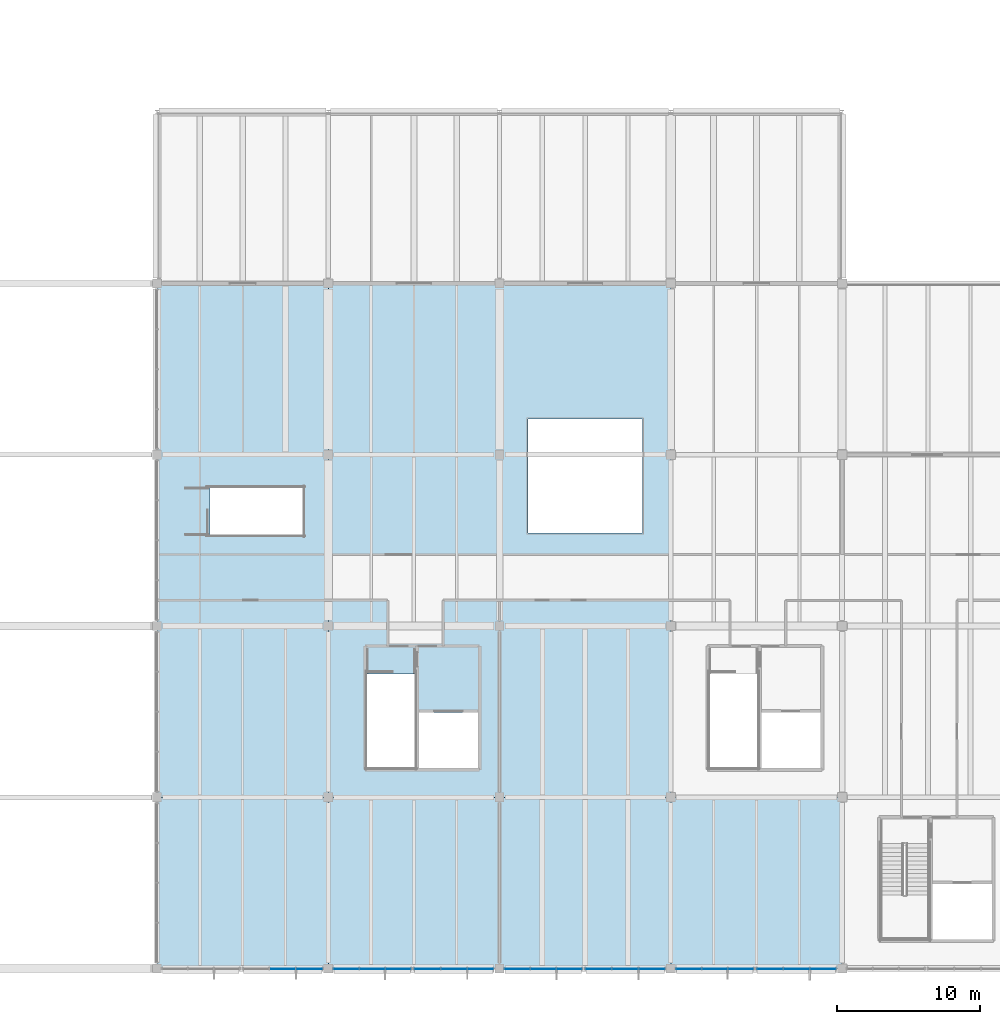
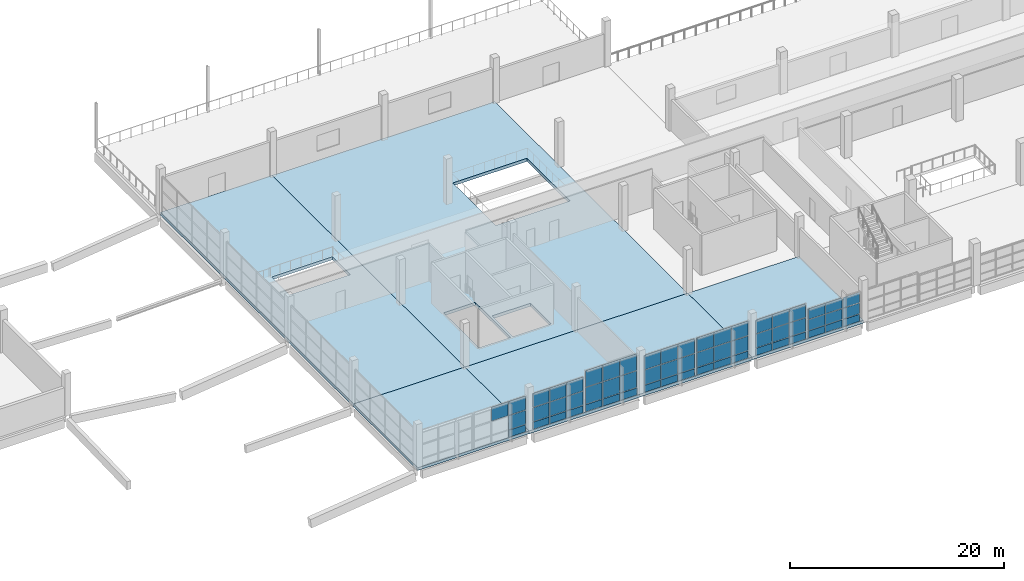
# One storey, part 59 of 112: 58 plates, 5 slabs, 7 elements without a shape of their own.
"""IFC4 building model written with IfcOpenShell, lengths in metres."""

from ifc_helpers import new_model, si_unit, direction, frame, origin, origin_2d, place, context, subcontext, project, spatial, polyline, rectangle, outline, extrude, material, layer, layer_set, type_object, element, aggregate, save


model = new_model("IFC4")

# Units and contexts
model_context = context("Model", 3, precision=1e-05, world=origin(), true_north=direction((0.0, 1.0)))
body_context = subcontext(model_context, "Body", "Model", "MODEL_VIEW")
ifc_project = project(units=[si_unit("LENGTHUNIT", "METRE"), si_unit("AREAUNIT", "SQUARE_METRE"), si_unit("VOLUMEUNIT", "CUBIC_METRE"), si_unit("PLANEANGLEUNIT", "RADIAN"), si_unit("MASSUNIT", "GRAM", prefix="KILO")], contexts=[model_context])

# Site, building, storey
site_placement = place(None, origin())
site = spatial("IfcSite", under=ifc_project, at=site_placement, CompositionType="ELEMENT")
building_placement = place(site_placement, origin())
building = spatial("IfcBuilding", under=site, at=building_placement, Name="Kamomehara Wholesale Market", CompositionType="ELEMENT")
storey_placement = place(building_placement, frame((0.0, 0.0, 6.60009765625)))
storey = spatial("IfcBuildingStorey", under=building, at=storey_placement, Name="L01", CompositionType="ELEMENT", Elevation=6.60009765625)

# Curtain wall, plates
ifc_material_1 = material(Name="Anodised aluminium 6063-T5", Category="aluminium")
curtain_wall_type = type_object("IfcCurtainWallType", Name="CW-UN-01", PredefinedType="NOTDEFINED", material=ifc_material_1)
curtain_wall_1_placement = place(storey_placement, origin())
curtain_wall_1 = element("IfcCurtainWall", 1, at=curtain_wall_1_placement, inside=storey, type_object=curtain_wall_type, Name="Unitised curtain wall CW-121", PredefinedType="NOTDEFINED")
ifc_material_2 = material(Name="Solar-control Low-E double glazing", Category="glass")
ifc_layer_1 = layer(ifc_material_2, 0.028076171875)
ifc_layer_set_1 = layer_set([ifc_layer_1], Name="Solar-control Low-E double glazing")
plate_type_1 = type_object("IfcPlateType", Name="CW-PNL-GLZ", PredefinedType="CURTAIN_PANEL", material=ifc_layer_set_1)
plate_1_placement = place(storey_placement, frame((70.6669921875, 11.97998046875, 0.929931640625), z_axis=(0.0, 0.0, 1.0), x_axis=(-1.0, 0.0, 0.0)))
plate_1 = element("IfcPlate", 2, at=plate_1_placement, type_object=plate_type_1, Name="Curtain panel CW-121.0.1", PredefinedType="CURTAIN_PANEL", context=body_context, shape_type="SweptSolid", body=[
    extrude(rectangle(XDim=1.787109375, YDim=0.028076171875, at=origin_2d()), origin(), (0.0, 0.0, 1.0), 1.580078125),
])
plate_2_placement = place(storey_placement, frame((70.6669921875, 11.97998046875, 2.56982421875), z_axis=(0.0, 0.0, 1.0), x_axis=(-1.0, 0.0, 0.0)))
plate_2 = element("IfcPlate", 3, at=plate_2_placement, type_object=plate_type_1, Name="Curtain panel CW-121.0.2", PredefinedType="CURTAIN_PANEL", context=body_context, shape_type="SweptSolid", body=[
    extrude(rectangle(XDim=1.787109375, YDim=0.028076171875, at=origin_2d()), origin(), (0.0, 0.0, 1.0), 1.5400390625),
])
plate_3_placement = place(storey_placement, frame((68.800048828125, 11.97998046875, 2.56982421875), z_axis=(0.0, 0.0, 1.0), x_axis=(-1.0, 0.0, 0.0)))
plate_3 = element("IfcPlate", 4, at=plate_3_placement, type_object=plate_type_1, Name="Curtain panel CW-121.1.2", PredefinedType="CURTAIN_PANEL", context=body_context, shape_type="SweptSolid", body=[
    extrude(rectangle(XDim=1.787109375, YDim=0.028076171875, at=origin_2d()), origin(), (0.0, 0.0, 1.0), 1.5400390625),
])

curtain_wall_2_placement = place(storey_placement, origin())
curtain_wall_2 = element("IfcCurtainWall", 5, at=curtain_wall_2_placement, inside=storey, type_object=curtain_wall_type, Name="Unitised curtain wall CW-123", PredefinedType="NOTDEFINED")
plate_4_placement = place(storey_placement, frame((82.6669921875, 11.97998046875, 0.93017578125), z_axis=(0.0, 0.0, 1.0), x_axis=(-1.0, 0.0, 0.0)))
plate_4 = element("IfcPlate", 6, at=plate_4_placement, type_object=plate_type_1, Name="Curtain panel CW-123.0.1", PredefinedType="CURTAIN_PANEL", context=body_context, shape_type="SweptSolid", body=[
    extrude(rectangle(XDim=1.787109375, YDim=0.028076171875, at=origin_2d()), origin(), (0.0, 0.0, 1.0), 1.885009765625),
])
plate_5_placement = place(storey_placement, frame((82.6669921875, 11.97998046875, 2.87548828125), z_axis=(0.0, 0.0, 1.0), x_axis=(-1.0, 0.0, 0.0)))
plate_5 = element("IfcPlate", 7, at=plate_5_placement, type_object=plate_type_1, Name="Curtain panel CW-123.0.2", PredefinedType="CURTAIN_PANEL", context=body_context, shape_type="SweptSolid", body=[
    extrude(rectangle(XDim=1.787109375, YDim=0.028076171875, at=origin_2d()), origin(), (0.0, 0.0, 1.0), 1.844970703125),
])
plate_6_placement = place(storey_placement, frame((80.800048828125, 11.97998046875, 0.93017578125), z_axis=(0.0, 0.0, 1.0), x_axis=(-1.0, 0.0, 0.0)))
plate_6 = element("IfcPlate", 8, at=plate_6_placement, type_object=plate_type_1, Name="Curtain panel CW-123.1.1", PredefinedType="CURTAIN_PANEL", context=body_context, shape_type="SweptSolid", body=[
    extrude(rectangle(XDim=1.787109375, YDim=0.028076171875, at=origin_2d()), origin(), (0.0, 0.0, 1.0), 1.885009765625),
])
plate_7_placement = place(storey_placement, frame((80.800048828125, 11.97998046875, 2.87548828125), z_axis=(0.0, 0.0, 1.0), x_axis=(-1.0, 0.0, 0.0)))
plate_7 = element("IfcPlate", 9, at=plate_7_placement, type_object=plate_type_1, Name="Curtain panel CW-123.1.2", PredefinedType="CURTAIN_PANEL", context=body_context, shape_type="SweptSolid", body=[
    extrude(rectangle(XDim=1.787109375, YDim=0.028076171875, at=origin_2d()), origin(), (0.0, 0.0, 1.0), 1.844970703125),
])
plate_8_placement = place(storey_placement, frame((78.93310546875, 11.97998046875, 0.93017578125), z_axis=(0.0, 0.0, 1.0), x_axis=(-1.0, 0.0, 0.0)))
plate_8 = element("IfcPlate", 10, at=plate_8_placement, type_object=plate_type_1, Name="Curtain panel CW-123.2.1", PredefinedType="CURTAIN_PANEL", context=body_context, shape_type="SweptSolid", body=[
    extrude(rectangle(XDim=1.787109375, YDim=0.028076171875, at=origin_2d()), origin(), (0.0, 0.0, 1.0), 1.885009765625),
])
plate_9_placement = place(storey_placement, frame((78.93310546875, 11.97998046875, 2.87548828125), z_axis=(0.0, 0.0, 1.0), x_axis=(-1.0, 0.0, 0.0)))
plate_9 = element("IfcPlate", 11, at=plate_9_placement, type_object=plate_type_1, Name="Curtain panel CW-123.2.2", PredefinedType="CURTAIN_PANEL", context=body_context, shape_type="SweptSolid", body=[
    extrude(rectangle(XDim=1.787109375, YDim=0.028076171875, at=origin_2d()), origin(), (0.0, 0.0, 1.0), 1.844970703125),
])

curtain_wall_3_placement = place(storey_placement, origin())
curtain_wall_3 = element("IfcCurtainWall", 12, at=curtain_wall_3_placement, inside=storey, type_object=curtain_wall_type, Name="Unitised curtain wall CW-124", PredefinedType="NOTDEFINED")
plate_10_placement = place(storey_placement, frame((76.888916015625, 11.97998046875, 0.929931640625), z_axis=(0.0, 0.0, 1.0), x_axis=(-1.0, 0.0, 0.0)))
plate_10 = element("IfcPlate", 13, at=plate_10_placement, type_object=plate_type_1, Name="Curtain panel CW-124.0.1", PredefinedType="CURTAIN_PANEL", context=body_context, shape_type="SweptSolid", body=[
    extrude(rectangle(XDim=1.741943359375, YDim=0.028076171875, at=origin_2d()), origin(), (0.0, 0.0, 1.0), 1.580078125),
])
plate_11_placement = place(storey_placement, frame((76.888916015625, 11.97998046875, 2.56982421875), z_axis=(0.0, 0.0, 1.0), x_axis=(-1.0, 0.0, 0.0)))
plate_11 = element("IfcPlate", 14, at=plate_11_placement, type_object=plate_type_1, Name="Curtain panel CW-124.0.2", PredefinedType="CURTAIN_PANEL", context=body_context, shape_type="SweptSolid", body=[
    extrude(rectangle(XDim=1.741943359375, YDim=0.028076171875, at=origin_2d()), origin(), (0.0, 0.0, 1.0), 1.5400390625),
])
plate_12_placement = place(storey_placement, frame((75.06689453125, 11.97998046875, 0.929931640625), z_axis=(0.0, 0.0, 1.0), x_axis=(-1.0, 0.0, 0.0)))
plate_12 = element("IfcPlate", 15, at=plate_12_placement, type_object=plate_type_1, Name="Curtain panel CW-124.1.1", PredefinedType="CURTAIN_PANEL", context=body_context, shape_type="SweptSolid", body=[
    extrude(rectangle(XDim=1.741943359375, YDim=0.028076171875, at=origin_2d()), origin(), (0.0, 0.0, 1.0), 1.580078125),
])
plate_13_placement = place(storey_placement, frame((75.06689453125, 11.97998046875, 2.56982421875), z_axis=(0.0, 0.0, 1.0), x_axis=(-1.0, 0.0, 0.0)))
plate_13 = element("IfcPlate", 16, at=plate_13_placement, type_object=plate_type_1, Name="Curtain panel CW-124.1.2", PredefinedType="CURTAIN_PANEL", context=body_context, shape_type="SweptSolid", body=[
    extrude(rectangle(XDim=1.741943359375, YDim=0.028076171875, at=origin_2d()), origin(), (0.0, 0.0, 1.0), 1.5400390625),
])
plate_14_placement = place(storey_placement, frame((73.24609375, 11.97998046875, 0.929931640625), z_axis=(0.0, 0.0, 1.0), x_axis=(-1.0, 0.0, 0.0)))
plate_14 = element("IfcPlate", 17, at=plate_14_placement, type_object=plate_type_1, Name="Curtain panel CW-124.2.1", PredefinedType="CURTAIN_PANEL", context=body_context, shape_type="SweptSolid", body=[
    extrude(rectangle(XDim=1.741943359375, YDim=0.028076171875, at=origin_2d()), origin(), (0.0, 0.0, 1.0), 1.580078125),
])
plate_15_placement = place(storey_placement, frame((73.24609375, 11.97998046875, 2.56982421875), z_axis=(0.0, 0.0, 1.0), x_axis=(-1.0, 0.0, 0.0)))
plate_15 = element("IfcPlate", 18, at=plate_15_placement, type_object=plate_type_1, Name="Curtain panel CW-124.2.2", PredefinedType="CURTAIN_PANEL", context=body_context, shape_type="SweptSolid", body=[
    extrude(rectangle(XDim=1.741943359375, YDim=0.028076171875, at=origin_2d()), origin(), (0.0, 0.0, 1.0), 1.5400390625),
])

curtain_wall_4_placement = place(storey_placement, origin())
curtain_wall_4 = element("IfcCurtainWall", 19, at=curtain_wall_4_placement, inside=storey, type_object=curtain_wall_type, Name="Unitised curtain wall CW-125", PredefinedType="NOTDEFINED")
plate_16_placement = place(storey_placement, frame((94.6669921875, 11.97998046875, 0.92919921875), z_axis=(0.0, 0.0, 1.0), x_axis=(-1.0, 0.0, 0.0)))
plate_16 = element("IfcPlate", 20, at=plate_16_placement, type_object=plate_type_1, Name="Curtain panel CW-125.0.1", PredefinedType="CURTAIN_PANEL", context=body_context, shape_type="SweptSolid", body=[
    extrude(rectangle(XDim=1.787109375, YDim=0.028076171875, at=origin_2d()), origin(), (0.0, 0.0, 1.0), 1.655029296875),
])
plate_17_placement = place(storey_placement, frame((94.6669921875, 11.97998046875, 2.6455078125), z_axis=(0.0, 0.0, 1.0), x_axis=(-1.0, 0.0, 0.0)))
plate_17 = element("IfcPlate", 21, at=plate_17_placement, type_object=plate_type_1, Name="Curtain panel CW-125.0.2", PredefinedType="CURTAIN_PANEL", context=body_context, shape_type="SweptSolid", body=[
    extrude(rectangle(XDim=1.787109375, YDim=0.028076171875, at=origin_2d()), origin(), (0.0, 0.0, 1.0), 1.614990234375),
])
plate_18_placement = place(storey_placement, frame((92.800048828125, 11.97998046875, 0.92919921875), z_axis=(0.0, 0.0, 1.0), x_axis=(-1.0, 0.0, 0.0)))
plate_18 = element("IfcPlate", 22, at=plate_18_placement, type_object=plate_type_1, Name="Curtain panel CW-125.1.1", PredefinedType="CURTAIN_PANEL", context=body_context, shape_type="SweptSolid", body=[
    extrude(rectangle(XDim=1.787109375, YDim=0.028076171875, at=origin_2d()), origin(), (0.0, 0.0, 1.0), 1.655029296875),
])
plate_19_placement = place(storey_placement, frame((92.800048828125, 11.97998046875, 2.6455078125), z_axis=(0.0, 0.0, 1.0), x_axis=(-1.0, 0.0, 0.0)))
plate_19 = element("IfcPlate", 23, at=plate_19_placement, type_object=plate_type_1, Name="Curtain panel CW-125.1.2", PredefinedType="CURTAIN_PANEL", context=body_context, shape_type="SweptSolid", body=[
    extrude(rectangle(XDim=1.787109375, YDim=0.028076171875, at=origin_2d()), origin(), (0.0, 0.0, 1.0), 1.614990234375),
])
plate_20_placement = place(storey_placement, frame((90.93310546875, 11.97998046875, 0.92919921875), z_axis=(0.0, 0.0, 1.0), x_axis=(-1.0, 0.0, 0.0)))
plate_20 = element("IfcPlate", 24, at=plate_20_placement, type_object=plate_type_1, Name="Curtain panel CW-125.2.1", PredefinedType="CURTAIN_PANEL", context=body_context, shape_type="SweptSolid", body=[
    extrude(rectangle(XDim=1.787109375, YDim=0.028076171875, at=origin_2d()), origin(), (0.0, 0.0, 1.0), 1.655029296875),
])
plate_21_placement = place(storey_placement, frame((90.93310546875, 11.97998046875, 2.6455078125), z_axis=(0.0, 0.0, 1.0), x_axis=(-1.0, 0.0, 0.0)))
plate_21 = element("IfcPlate", 25, at=plate_21_placement, type_object=plate_type_1, Name="Curtain panel CW-125.2.2", PredefinedType="CURTAIN_PANEL", context=body_context, shape_type="SweptSolid", body=[
    extrude(rectangle(XDim=1.787109375, YDim=0.028076171875, at=origin_2d()), origin(), (0.0, 0.0, 1.0), 1.614990234375),
])

curtain_wall_5_placement = place(storey_placement, origin())
curtain_wall_5 = element("IfcCurtainWall", 26, at=curtain_wall_5_placement, inside=storey, type_object=curtain_wall_type, Name="Unitised curtain wall CW-126", PredefinedType="NOTDEFINED")
plate_22_placement = place(storey_placement, frame((88.888916015625, 11.97998046875, 0.92919921875), z_axis=(0.0, 0.0, 1.0), x_axis=(-1.0, 0.0, 0.0)))
plate_22 = element("IfcPlate", 27, at=plate_22_placement, type_object=plate_type_1, Name="Curtain panel CW-126.0.1", PredefinedType="CURTAIN_PANEL", context=body_context, shape_type="SweptSolid", body=[
    extrude(rectangle(XDim=1.741943359375, YDim=0.028076171875, at=origin_2d()), origin(), (0.0, 0.0, 1.0), 1.655029296875),
])
plate_23_placement = place(storey_placement, frame((88.888916015625, 11.97998046875, 2.6455078125), z_axis=(0.0, 0.0, 1.0), x_axis=(-1.0, 0.0, 0.0)))
plate_23 = element("IfcPlate", 28, at=plate_23_placement, type_object=plate_type_1, Name="Curtain panel CW-126.0.2", PredefinedType="CURTAIN_PANEL", context=body_context, shape_type="SweptSolid", body=[
    extrude(rectangle(XDim=1.741943359375, YDim=0.028076171875, at=origin_2d()), origin(), (0.0, 0.0, 1.0), 1.614990234375),
])
plate_24_placement = place(storey_placement, frame((87.06689453125, 11.97998046875, 0.92919921875), z_axis=(0.0, 0.0, 1.0), x_axis=(-1.0, 0.0, 0.0)))
plate_24 = element("IfcPlate", 29, at=plate_24_placement, type_object=plate_type_1, Name="Curtain panel CW-126.1.1", PredefinedType="CURTAIN_PANEL", context=body_context, shape_type="SweptSolid", body=[
    extrude(rectangle(XDim=1.741943359375, YDim=0.028076171875, at=origin_2d()), origin(), (0.0, 0.0, 1.0), 1.655029296875),
])
plate_25_placement = place(storey_placement, frame((87.06689453125, 11.97998046875, 2.6455078125), z_axis=(0.0, 0.0, 1.0), x_axis=(-1.0, 0.0, 0.0)))
plate_25 = element("IfcPlate", 30, at=plate_25_placement, type_object=plate_type_1, Name="Curtain panel CW-126.1.2", PredefinedType="CURTAIN_PANEL", context=body_context, shape_type="SweptSolid", body=[
    extrude(rectangle(XDim=1.741943359375, YDim=0.028076171875, at=origin_2d()), origin(), (0.0, 0.0, 1.0), 1.614990234375),
])
plate_26_placement = place(storey_placement, frame((85.24609375, 11.97998046875, 0.92919921875), z_axis=(0.0, 0.0, 1.0), x_axis=(-1.0, 0.0, 0.0)))
plate_26 = element("IfcPlate", 31, at=plate_26_placement, type_object=plate_type_1, Name="Curtain panel CW-126.2.1", PredefinedType="CURTAIN_PANEL", context=body_context, shape_type="SweptSolid", body=[
    extrude(rectangle(XDim=1.741943359375, YDim=0.028076171875, at=origin_2d()), origin(), (0.0, 0.0, 1.0), 1.655029296875),
])
plate_27_placement = place(storey_placement, frame((85.24609375, 11.97998046875, 2.6455078125), z_axis=(0.0, 0.0, 1.0), x_axis=(-1.0, 0.0, 0.0)))
plate_27 = element("IfcPlate", 32, at=plate_27_placement, type_object=plate_type_1, Name="Curtain panel CW-126.2.2", PredefinedType="CURTAIN_PANEL", context=body_context, shape_type="SweptSolid", body=[
    extrude(rectangle(XDim=1.741943359375, YDim=0.028076171875, at=origin_2d()), origin(), (0.0, 0.0, 1.0), 1.614990234375),
])

curtain_wall_6_placement = place(storey_placement, origin())
curtain_wall_6 = element("IfcCurtainWall", 33, at=curtain_wall_6_placement, inside=storey, type_object=curtain_wall_type, Name="Unitised curtain wall CW-127", PredefinedType="NOTDEFINED")
plate_28_placement = place(storey_placement, frame((106.6669921875, 11.97998046875, 0.929931640625), z_axis=(0.0, 0.0, 1.0), x_axis=(-1.0, 0.0, 0.0)))
plate_28 = element("IfcPlate", 34, at=plate_28_placement, type_object=plate_type_1, Name="Curtain panel CW-127.0.1", PredefinedType="CURTAIN_PANEL", context=body_context, shape_type="SweptSolid", body=[
    extrude(rectangle(XDim=1.787109375, YDim=0.028076171875, at=origin_2d()), origin(), (0.0, 0.0, 1.0), 1.2041015625),
])
plate_29_placement = place(storey_placement, frame((106.6669921875, 11.97998046875, 2.19384765625), z_axis=(0.0, 0.0, 1.0), x_axis=(-1.0, 0.0, 0.0)))
plate_29 = element("IfcPlate", 35, at=plate_29_placement, type_object=plate_type_1, Name="Curtain panel CW-127.0.2", PredefinedType="CURTAIN_PANEL", context=body_context, shape_type="SweptSolid", body=[
    extrude(rectangle(XDim=1.787109375, YDim=0.028076171875, at=origin_2d()), origin(), (0.0, 0.0, 1.0), 1.1640625),
])
plate_30_placement = place(storey_placement, frame((104.800048828125, 11.97998046875, 0.929931640625), z_axis=(0.0, 0.0, 1.0), x_axis=(-1.0, 0.0, 0.0)))
plate_30 = element("IfcPlate", 36, at=plate_30_placement, type_object=plate_type_1, Name="Curtain panel CW-127.1.1", PredefinedType="CURTAIN_PANEL", context=body_context, shape_type="SweptSolid", body=[
    extrude(rectangle(XDim=1.787109375, YDim=0.028076171875, at=origin_2d()), origin(), (0.0, 0.0, 1.0), 1.2041015625),
])
plate_31_placement = place(storey_placement, frame((104.800048828125, 11.97998046875, 2.19384765625), z_axis=(0.0, 0.0, 1.0), x_axis=(-1.0, 0.0, 0.0)))
plate_31 = element("IfcPlate", 37, at=plate_31_placement, type_object=plate_type_1, Name="Curtain panel CW-127.1.2", PredefinedType="CURTAIN_PANEL", context=body_context, shape_type="SweptSolid", body=[
    extrude(rectangle(XDim=1.787109375, YDim=0.028076171875, at=origin_2d()), origin(), (0.0, 0.0, 1.0), 1.1640625),
])
plate_32_placement = place(storey_placement, frame((102.93310546875, 11.97998046875, 0.929931640625), z_axis=(0.0, 0.0, 1.0), x_axis=(-1.0, 0.0, 0.0)))
plate_32 = element("IfcPlate", 38, at=plate_32_placement, type_object=plate_type_1, Name="Curtain panel CW-127.2.1", PredefinedType="CURTAIN_PANEL", context=body_context, shape_type="SweptSolid", body=[
    extrude(rectangle(XDim=1.787109375, YDim=0.028076171875, at=origin_2d()), origin(), (0.0, 0.0, 1.0), 1.2041015625),
])
plate_33_placement = place(storey_placement, frame((102.93310546875, 11.97998046875, 2.19384765625), z_axis=(0.0, 0.0, 1.0), x_axis=(-1.0, 0.0, 0.0)))
plate_33 = element("IfcPlate", 39, at=plate_33_placement, type_object=plate_type_1, Name="Curtain panel CW-127.2.2", PredefinedType="CURTAIN_PANEL", context=body_context, shape_type="SweptSolid", body=[
    extrude(rectangle(XDim=1.787109375, YDim=0.028076171875, at=origin_2d()), origin(), (0.0, 0.0, 1.0), 1.1640625),
])

curtain_wall_7_placement = place(storey_placement, origin())
curtain_wall_7 = element("IfcCurtainWall", 40, at=curtain_wall_7_placement, inside=storey, type_object=curtain_wall_type, Name="Unitised curtain wall CW-128", PredefinedType="NOTDEFINED")
plate_34_placement = place(storey_placement, frame((100.888916015625, 11.97998046875, 0.9306640625), z_axis=(0.0, 0.0, 1.0), x_axis=(-1.0, 0.0, 0.0)))
plate_34 = element("IfcPlate", 41, at=plate_34_placement, type_object=plate_type_1, Name="Curtain panel CW-128.0.1", PredefinedType="CURTAIN_PANEL", context=body_context, shape_type="SweptSolid", body=[
    extrude(rectangle(XDim=1.741943359375, YDim=0.028076171875, at=origin_2d()), origin(), (0.0, 0.0, 1.0), 1.554931640625),
])
plate_35_placement = place(storey_placement, frame((100.888916015625, 11.97998046875, 2.54443359375), z_axis=(0.0, 0.0, 1.0), x_axis=(-1.0, 0.0, 0.0)))
plate_35 = element("IfcPlate", 42, at=plate_35_placement, type_object=plate_type_1, Name="Curtain panel CW-128.0.2", PredefinedType="CURTAIN_PANEL", context=body_context, shape_type="SweptSolid", body=[
    extrude(rectangle(XDim=1.741943359375, YDim=0.028076171875, at=origin_2d()), origin(), (0.0, 0.0, 1.0), 1.514892578125),
])
plate_36_placement = place(storey_placement, frame((99.06689453125, 11.97998046875, 0.9306640625), z_axis=(0.0, 0.0, 1.0), x_axis=(-1.0, 0.0, 0.0)))
plate_36 = element("IfcPlate", 43, at=plate_36_placement, type_object=plate_type_1, Name="Curtain panel CW-128.1.1", PredefinedType="CURTAIN_PANEL", context=body_context, shape_type="SweptSolid", body=[
    extrude(rectangle(XDim=1.741943359375, YDim=0.028076171875, at=origin_2d()), origin(), (0.0, 0.0, 1.0), 1.554931640625),
])
plate_37_placement = place(storey_placement, frame((99.06689453125, 11.97998046875, 2.54443359375), z_axis=(0.0, 0.0, 1.0), x_axis=(-1.0, 0.0, 0.0)))
plate_37 = element("IfcPlate", 44, at=plate_37_placement, type_object=plate_type_1, Name="Curtain panel CW-128.1.2", PredefinedType="CURTAIN_PANEL", context=body_context, shape_type="SweptSolid", body=[
    extrude(rectangle(XDim=1.741943359375, YDim=0.028076171875, at=origin_2d()), origin(), (0.0, 0.0, 1.0), 1.514892578125),
])
plate_38_placement = place(storey_placement, frame((97.24609375, 11.97998046875, 0.9306640625), z_axis=(0.0, 0.0, 1.0), x_axis=(-1.0, 0.0, 0.0)))
plate_38 = element("IfcPlate", 45, at=plate_38_placement, type_object=plate_type_1, Name="Curtain panel CW-128.2.1", PredefinedType="CURTAIN_PANEL", context=body_context, shape_type="SweptSolid", body=[
    extrude(rectangle(XDim=1.741943359375, YDim=0.028076171875, at=origin_2d()), origin(), (0.0, 0.0, 1.0), 1.554931640625),
])
plate_39_placement = place(storey_placement, frame((97.24609375, 11.97998046875, 2.54443359375), z_axis=(0.0, 0.0, 1.0), x_axis=(-1.0, 0.0, 0.0)))
plate_39 = element("IfcPlate", 46, at=plate_39_placement, type_object=plate_type_1, Name="Curtain panel CW-128.2.2", PredefinedType="CURTAIN_PANEL", context=body_context, shape_type="SweptSolid", body=[
    extrude(rectangle(XDim=1.741943359375, YDim=0.028076171875, at=origin_2d()), origin(), (0.0, 0.0, 1.0), 1.514892578125),
])

# Plate
ifc_material_3 = material(Name="Insulated aluminium spandrel panel", Category="aluminium")
ifc_layer_2 = layer(ifc_material_3, 0.0400390625)
ifc_layer_set_2 = layer_set([ifc_layer_2], Name="Insulated aluminium spandrel panel")
plate_type_2 = type_object("IfcPlateType", Name="CW-PNL-SPN", PredefinedType="CURTAIN_PANEL", material=ifc_layer_set_2)
plate_40_placement = place(storey_placement, frame((70.6669921875, 11.97998046875, 0.06982421875), z_axis=(0.0, 0.0, 1.0), x_axis=(-1.0, 0.0, 0.0)))
plate_40 = element("IfcPlate", 47, at=plate_40_placement, type_object=plate_type_2, Name="Curtain panel CW-121.0.0", PredefinedType="CURTAIN_PANEL", context=body_context, shape_type="SweptSolid", body=[
    extrude(rectangle(XDim=1.787109375, YDim=0.0400390625, at=origin_2d()), origin(), (0.0, 0.0, 1.0), 0.800048828125),
])

aggregate(curtain_wall_1, [plate_40, plate_1, plate_2, plate_3])

plate_41_placement = place(storey_placement, frame((82.6669921875, 11.97998046875, 0.06982421875), z_axis=(0.0, 0.0, 1.0), x_axis=(-1.0, 0.0, 0.0)))
plate_41 = element("IfcPlate", 48, at=plate_41_placement, type_object=plate_type_2, Name="Curtain panel CW-123.0.0", PredefinedType="CURTAIN_PANEL", context=body_context, shape_type="SweptSolid", body=[
    extrude(rectangle(XDim=1.787109375, YDim=0.0400390625, at=origin_2d()), origin(), (0.0, 0.0, 1.0), 0.800048828125),
])

plate_42_placement = place(storey_placement, frame((80.800048828125, 11.97998046875, 0.06982421875), z_axis=(0.0, 0.0, 1.0), x_axis=(-1.0, 0.0, 0.0)))
plate_42 = element("IfcPlate", 49, at=plate_42_placement, type_object=plate_type_2, Name="Curtain panel CW-123.1.0", PredefinedType="CURTAIN_PANEL", context=body_context, shape_type="SweptSolid", body=[
    extrude(rectangle(XDim=1.787109375, YDim=0.0400390625, at=origin_2d()), origin(), (0.0, 0.0, 1.0), 0.800048828125),
])

plate_43_placement = place(storey_placement, frame((78.93310546875, 11.97998046875, 0.06982421875), z_axis=(0.0, 0.0, 1.0), x_axis=(-1.0, 0.0, 0.0)))
plate_43 = element("IfcPlate", 50, at=plate_43_placement, type_object=plate_type_2, Name="Curtain panel CW-123.2.0", PredefinedType="CURTAIN_PANEL", context=body_context, shape_type="SweptSolid", body=[
    extrude(rectangle(XDim=1.787109375, YDim=0.0400390625, at=origin_2d()), origin(), (0.0, 0.0, 1.0), 0.800048828125),
])

aggregate(curtain_wall_2, [plate_41, plate_4, plate_5, plate_42, plate_6, plate_7, plate_43, plate_8, plate_9])

plate_44_placement = place(storey_placement, frame((76.888916015625, 11.97998046875, 0.06982421875), z_axis=(0.0, 0.0, 1.0), x_axis=(-1.0, 0.0, 0.0)))
plate_44 = element("IfcPlate", 51, at=plate_44_placement, type_object=plate_type_2, Name="Curtain panel CW-124.0.0", PredefinedType="CURTAIN_PANEL", context=body_context, shape_type="SweptSolid", body=[
    extrude(rectangle(XDim=1.741943359375, YDim=0.0400390625, at=origin_2d()), origin(), (0.0, 0.0, 1.0), 0.800048828125),
])

plate_45_placement = place(storey_placement, frame((75.06689453125, 11.97998046875, 0.06982421875), z_axis=(0.0, 0.0, 1.0), x_axis=(-1.0, 0.0, 0.0)))
plate_45 = element("IfcPlate", 52, at=plate_45_placement, type_object=plate_type_2, Name="Curtain panel CW-124.1.0", PredefinedType="CURTAIN_PANEL", context=body_context, shape_type="SweptSolid", body=[
    extrude(rectangle(XDim=1.741943359375, YDim=0.0400390625, at=origin_2d()), origin(), (0.0, 0.0, 1.0), 0.800048828125),
])

plate_46_placement = place(storey_placement, frame((73.24609375, 11.97998046875, 0.06982421875), z_axis=(0.0, 0.0, 1.0), x_axis=(-1.0, 0.0, 0.0)))
plate_46 = element("IfcPlate", 53, at=plate_46_placement, type_object=plate_type_2, Name="Curtain panel CW-124.2.0", PredefinedType="CURTAIN_PANEL", context=body_context, shape_type="SweptSolid", body=[
    extrude(rectangle(XDim=1.741943359375, YDim=0.0400390625, at=origin_2d()), origin(), (0.0, 0.0, 1.0), 0.800048828125),
])

aggregate(curtain_wall_3, [plate_44, plate_10, plate_11, plate_45, plate_12, plate_13, plate_46, plate_14, plate_15])

plate_47_placement = place(storey_placement, frame((94.6669921875, 11.97998046875, 0.06982421875), z_axis=(0.0, 0.0, 1.0), x_axis=(-1.0, 0.0, 0.0)))
plate_47 = element("IfcPlate", 54, at=plate_47_placement, type_object=plate_type_2, Name="Curtain panel CW-125.0.0", PredefinedType="CURTAIN_PANEL", context=body_context, shape_type="SweptSolid", body=[
    extrude(rectangle(XDim=1.787109375, YDim=0.0400390625, at=origin_2d()), origin(), (0.0, 0.0, 1.0), 0.800048828125),
])

plate_48_placement = place(storey_placement, frame((92.800048828125, 11.97998046875, 0.06982421875), z_axis=(0.0, 0.0, 1.0), x_axis=(-1.0, 0.0, 0.0)))
plate_48 = element("IfcPlate", 55, at=plate_48_placement, type_object=plate_type_2, Name="Curtain panel CW-125.1.0", PredefinedType="CURTAIN_PANEL", context=body_context, shape_type="SweptSolid", body=[
    extrude(rectangle(XDim=1.787109375, YDim=0.0400390625, at=origin_2d()), origin(), (0.0, 0.0, 1.0), 0.800048828125),
])

plate_49_placement = place(storey_placement, frame((90.93310546875, 11.97998046875, 0.06982421875), z_axis=(0.0, 0.0, 1.0), x_axis=(-1.0, 0.0, 0.0)))
plate_49 = element("IfcPlate", 56, at=plate_49_placement, type_object=plate_type_2, Name="Curtain panel CW-125.2.0", PredefinedType="CURTAIN_PANEL", context=body_context, shape_type="SweptSolid", body=[
    extrude(rectangle(XDim=1.787109375, YDim=0.0400390625, at=origin_2d()), origin(), (0.0, 0.0, 1.0), 0.800048828125),
])

aggregate(curtain_wall_4, [plate_47, plate_16, plate_17, plate_48, plate_18, plate_19, plate_49, plate_20, plate_21])

plate_50_placement = place(storey_placement, frame((88.888916015625, 11.97998046875, 0.06982421875), z_axis=(0.0, 0.0, 1.0), x_axis=(-1.0, 0.0, 0.0)))
plate_50 = element("IfcPlate", 57, at=plate_50_placement, type_object=plate_type_2, Name="Curtain panel CW-126.0.0", PredefinedType="CURTAIN_PANEL", context=body_context, shape_type="SweptSolid", body=[
    extrude(rectangle(XDim=1.741943359375, YDim=0.0400390625, at=origin_2d()), origin(), (0.0, 0.0, 1.0), 0.800048828125),
])

plate_51_placement = place(storey_placement, frame((87.06689453125, 11.97998046875, 0.06982421875), z_axis=(0.0, 0.0, 1.0), x_axis=(-1.0, 0.0, 0.0)))
plate_51 = element("IfcPlate", 58, at=plate_51_placement, type_object=plate_type_2, Name="Curtain panel CW-126.1.0", PredefinedType="CURTAIN_PANEL", context=body_context, shape_type="SweptSolid", body=[
    extrude(rectangle(XDim=1.741943359375, YDim=0.0400390625, at=origin_2d()), origin(), (0.0, 0.0, 1.0), 0.800048828125),
])

plate_52_placement = place(storey_placement, frame((85.24609375, 11.97998046875, 0.06982421875), z_axis=(0.0, 0.0, 1.0), x_axis=(-1.0, 0.0, 0.0)))
plate_52 = element("IfcPlate", 59, at=plate_52_placement, type_object=plate_type_2, Name="Curtain panel CW-126.2.0", PredefinedType="CURTAIN_PANEL", context=body_context, shape_type="SweptSolid", body=[
    extrude(rectangle(XDim=1.741943359375, YDim=0.0400390625, at=origin_2d()), origin(), (0.0, 0.0, 1.0), 0.800048828125),
])

aggregate(curtain_wall_5, [plate_50, plate_22, plate_23, plate_51, plate_24, plate_25, plate_52, plate_26, plate_27])

plate_53_placement = place(storey_placement, frame((106.6669921875, 11.97998046875, 0.06982421875), z_axis=(0.0, 0.0, 1.0), x_axis=(-1.0, 0.0, 0.0)))
plate_53 = element("IfcPlate", 60, at=plate_53_placement, type_object=plate_type_2, Name="Curtain panel CW-127.0.0", PredefinedType="CURTAIN_PANEL", context=body_context, shape_type="SweptSolid", body=[
    extrude(rectangle(XDim=1.787109375, YDim=0.0400390625, at=origin_2d()), origin(), (0.0, 0.0, 1.0), 0.800048828125),
])

plate_54_placement = place(storey_placement, frame((104.800048828125, 11.97998046875, 0.06982421875), z_axis=(0.0, 0.0, 1.0), x_axis=(-1.0, 0.0, 0.0)))
plate_54 = element("IfcPlate", 61, at=plate_54_placement, type_object=plate_type_2, Name="Curtain panel CW-127.1.0", PredefinedType="CURTAIN_PANEL", context=body_context, shape_type="SweptSolid", body=[
    extrude(rectangle(XDim=1.787109375, YDim=0.0400390625, at=origin_2d()), origin(), (0.0, 0.0, 1.0), 0.800048828125),
])

plate_55_placement = place(storey_placement, frame((102.93310546875, 11.97998046875, 0.06982421875), z_axis=(0.0, 0.0, 1.0), x_axis=(-1.0, 0.0, 0.0)))
plate_55 = element("IfcPlate", 62, at=plate_55_placement, type_object=plate_type_2, Name="Curtain panel CW-127.2.0", PredefinedType="CURTAIN_PANEL", context=body_context, shape_type="SweptSolid", body=[
    extrude(rectangle(XDim=1.787109375, YDim=0.0400390625, at=origin_2d()), origin(), (0.0, 0.0, 1.0), 0.800048828125),
])

aggregate(curtain_wall_6, [plate_53, plate_28, plate_29, plate_54, plate_30, plate_31, plate_55, plate_32, plate_33])

plate_56_placement = place(storey_placement, frame((100.888916015625, 11.97998046875, 0.06982421875), z_axis=(0.0, 0.0, 1.0), x_axis=(-1.0, 0.0, 0.0)))
plate_56 = element("IfcPlate", 63, at=plate_56_placement, type_object=plate_type_2, Name="Curtain panel CW-128.0.0", PredefinedType="CURTAIN_PANEL", context=body_context, shape_type="SweptSolid", body=[
    extrude(rectangle(XDim=1.741943359375, YDim=0.0400390625, at=origin_2d()), origin(), (0.0, 0.0, 1.0), 0.800048828125),
])

plate_57_placement = place(storey_placement, frame((99.06689453125, 11.97998046875, 0.06982421875), z_axis=(0.0, 0.0, 1.0), x_axis=(-1.0, 0.0, 0.0)))
plate_57 = element("IfcPlate", 64, at=plate_57_placement, type_object=plate_type_2, Name="Curtain panel CW-128.1.0", PredefinedType="CURTAIN_PANEL", context=body_context, shape_type="SweptSolid", body=[
    extrude(rectangle(XDim=1.741943359375, YDim=0.0400390625, at=origin_2d()), origin(), (0.0, 0.0, 1.0), 0.800048828125),
])

plate_58_placement = place(storey_placement, frame((97.24609375, 11.97998046875, 0.06982421875), z_axis=(0.0, 0.0, 1.0), x_axis=(-1.0, 0.0, 0.0)))
plate_58 = element("IfcPlate", 65, at=plate_58_placement, type_object=plate_type_2, Name="Curtain panel CW-128.2.0", PredefinedType="CURTAIN_PANEL", context=body_context, shape_type="SweptSolid", body=[
    extrude(rectangle(XDim=1.741943359375, YDim=0.0400390625, at=origin_2d()), origin(), (0.0, 0.0, 1.0), 0.800048828125),
])

aggregate(curtain_wall_7, [plate_56, plate_34, plate_35, plate_57, plate_36, plate_37, plate_58, plate_38, plate_39])

# Slabs
ifc_material_4 = material(Name="Concrete Fc36 (C35/45)", Category="concrete")
ifc_layer_3 = layer(ifc_material_4, 0.31005859375)
ifc_layer_set_3 = layer_set([ifc_layer_3], Name="Concrete Fc36 (C35/45)")
slab_type_1 = type_object("IfcSlabType", Name="SLB-FLR-220", PredefinedType="FLOOR", material=ifc_layer_set_3)
slab_1_placement = place(storey_placement, frame((0.0, 0.0, -0.31005859375)))
element("IfcSlab", 66, at=slab_1_placement, inside=storey, type_object=slab_type_1, Name="Floor slab V4 L01 95", PredefinedType="FLOOR", context=body_context, shape_type="SweptSolid", body=[
    extrude(outline(polyline([(72.0, 24.0), (72.0, 12.0), (60.0, 12.0), (60.0, 24.0), (72.0, 24.0)])), origin(), (0.0, 0.0, 1.0), 0.31005859375),
])
ifc_material_5 = material(Name="Concrete Fc36 (C35/45)", Category="concrete")
ifc_layer_4 = layer(ifc_material_5, 0.320068359375)
ifc_layer_set_4 = layer_set([ifc_layer_4], Name="Concrete Fc36 (C35/45)")
slab_type_2 = type_object("IfcSlabType", Name="SLB-FLR-240", PredefinedType="FLOOR", material=ifc_layer_set_4)
slab_2_placement = place(storey_placement, frame((0.0, 0.0, -0.320068359375)))
element("IfcSlab", 67, at=slab_2_placement, inside=storey, type_object=slab_type_2, Name="Floor slab V4 L01 99", PredefinedType="FLOOR", context=body_context, shape_type="SweptSolid", body=[
    extrude(outline(polyline([(108.0, 12.0), (96.0, 12.0), (96.0, 24.0), (108.0, 24.0), (108.0, 12.0)])), origin(), (0.0, 0.0, 1.0), 0.320068359375),
])
ifc_material_6 = material(Name="Concrete Fc36 (C35/45)", Category="concrete")
ifc_layer_5 = layer(ifc_material_6, 0.330078125)
ifc_layer_set_5 = layer_set([ifc_layer_5], Name="Concrete Fc36 (C35/45)")
slab_type_3 = type_object("IfcSlabType", Name="SLB-FLR-260", PredefinedType="FLOOR", material=ifc_layer_set_5)
slab_3_placement = place(storey_placement, frame((0.0, 0.0, -0.330078125)))
element("IfcSlab", 68, at=slab_3_placement, inside=storey, type_object=slab_type_3, Name="Floor slab V4 L01 97", PredefinedType="FLOOR", context=body_context, shape_type="SweptSolid", body=[
    extrude(outline(polyline([(72.0, 24.0), (96.0, 24.0), (96.0, 12.0), (72.0, 12.0), (72.0, 24.0)])), origin(), (0.0, 0.0, 1.0), 0.330078125),
])
ifc_material_7 = material(Name="Concrete Fc36 (C35/45)", Category="concrete")
ifc_layer_6 = layer(ifc_material_7, 0.340087890625)
ifc_layer_set_6 = layer_set([ifc_layer_6], Name="Concrete Fc36 (C35/45)")
slab_type_4 = type_object("IfcSlabType", Name="SLB-FLR-280", PredefinedType="FLOOR", material=ifc_layer_set_6)
slab_4_placement = place(storey_placement, frame((0.0, 0.0, -0.340087890625)))
element("IfcSlab", 69, at=slab_4_placement, inside=storey, type_object=slab_type_4, Name="Floor slab V4 L01 96", PredefinedType="FLOOR", context=body_context, shape_type="SweptSolid", body=[
    extrude(outline(polyline([(72.0, 24.0), (60.0, 24.0), (60.0, 60.0), (72.0, 60.0), (72.0, 24.0)]), holes=[polyline([(70.25, 42.35009765625), (70.25, 45.699951171875), (63.695068359375, 45.699951171875), (63.695068359375, 42.35009765625), (70.25, 42.35009765625)])]), origin(), (0.0, 0.0, 1.0), 0.340087890625),
])
ifc_material_8 = material(Name="Concrete Fc36 (C35/45)", Category="concrete")
ifc_layer_7 = layer(ifc_material_8, 0.35009765625)
ifc_layer_set_7 = layer_set([ifc_layer_7], Name="Concrete Fc36 (C35/45)")
slab_type_5 = type_object("IfcSlabType", Name="SLB-FLR-300", PredefinedType="FLOOR", material=ifc_layer_set_7)
slab_5_placement = place(storey_placement, frame((0.0, 0.0, -0.35009765625)))
element("IfcSlab", 70, at=slab_5_placement, inside=storey, type_object=slab_type_5, Name="Floor slab V4 L01 98", PredefinedType="FLOOR", context=body_context, shape_type="SweptSolid", body=[
    extrude(outline(polyline([(96.0, 24.0), (72.0, 24.0), (72.0, 60.0), (96.0, 60.0), (96.0, 24.0)]), holes=[polyline([(78.10009765625, 26.050048828125), (78.10009765625, 32.6298828125), (74.699951171875, 32.6298828125), (74.699951171875, 26.050048828125), (78.10009765625, 26.050048828125)]), polyline([(82.47998046875, 26.050048828125), (82.47998046875, 29.929931640625), (78.340087890625, 29.929931640625), (78.340087890625, 26.050048828125), (82.47998046875, 26.050048828125)]), polyline([(94.0, 42.5), (94.0, 50.5), (86.0, 50.5), (86.0, 42.5), (94.0, 42.5)])]), origin(), (0.0, 0.0, 1.0), 0.35009765625),
])

save(model, "model.ifc")
